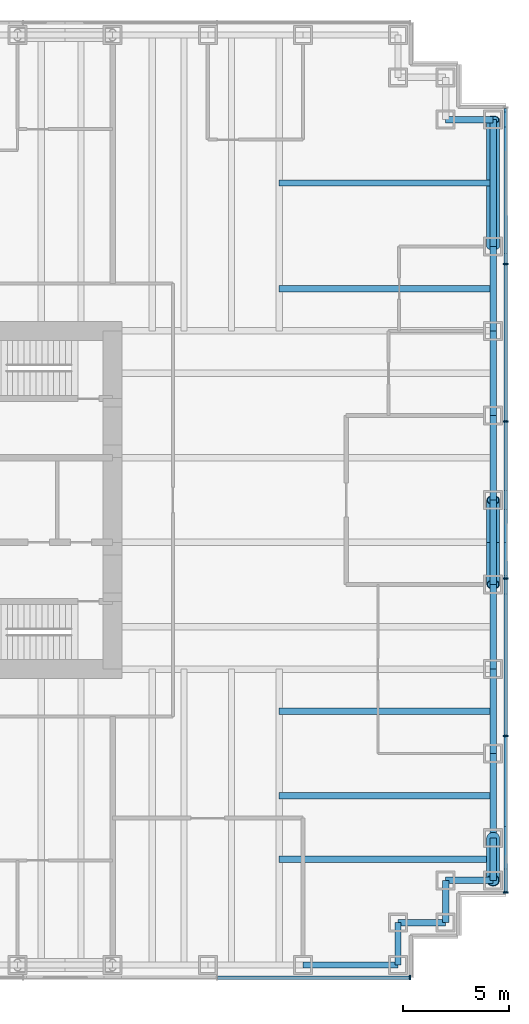
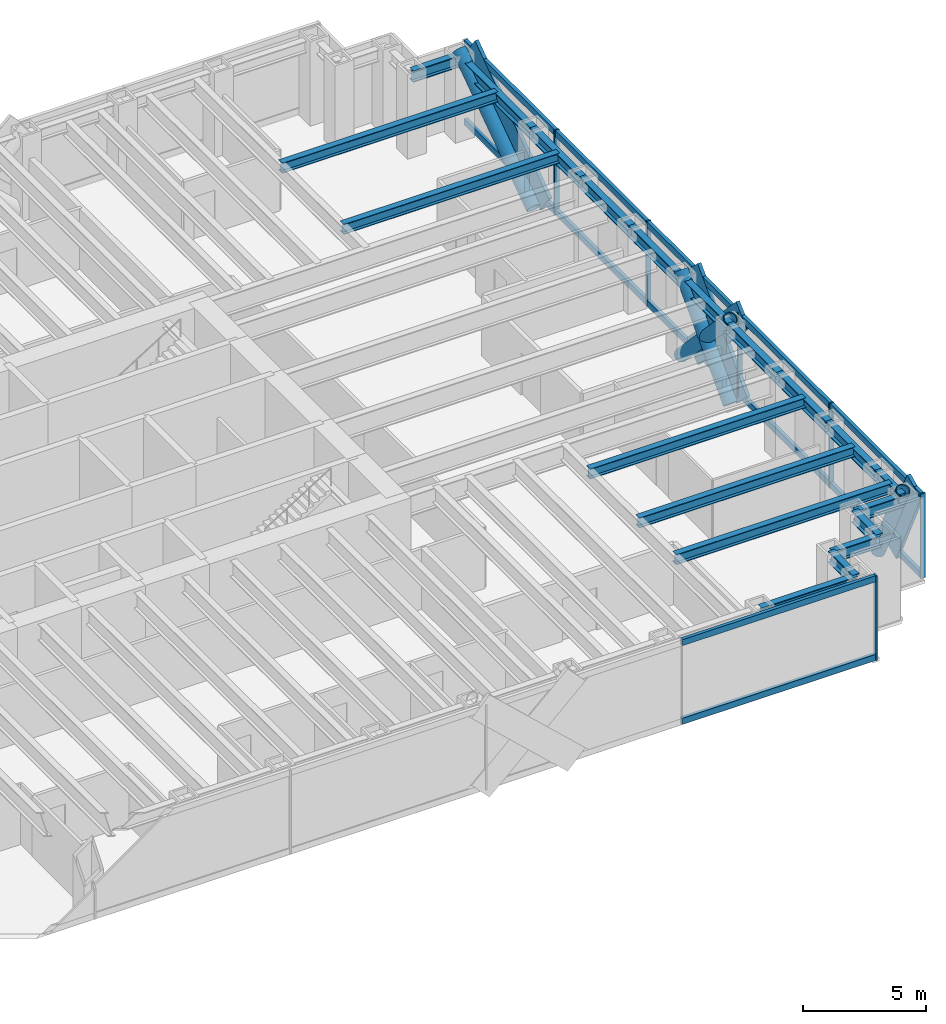
# One storey, part 8 of 17: 26 members, 20 beams, 2 elements without a shape of their own.
"""IFC4 building model written with IfcOpenShell, lengths in metres."""

import ifcopenshell
import ifcopenshell.guid

model = None  # the IFC model being written
_history = None  # IfcOwnerHistory: only IFC2X3 demands one
_inside = {}  # id of a spatial element -> (the spatial element, [elements in it])
_under = {}  # id of a project, library or spatial element -> (it, [spatial elements below it])
_declared = {}  # id of a project -> (the project, [libraries it declares])
_typed = {}  # id of a type object -> (the type object, [elements of that type])
_made_of = {}  # id of a material, layer set ... -> (it, [elements and type objects made of it])


def new_model(schema):
    """Start an empty IFC model of exactly this schema.

    Asked for "IFC4X3", IfcOpenShell would pick the latest addendum, in which some entities
    have other attributes; the version numbers below select the first issue.
    IFC2X3 requires an IfcOwnerHistory on every rooted entity: one is made here for all.
    """
    global model, _history
    if schema == "IFC4X3":
        model = ifcopenshell.file(schema_version=(4, 3, 0, 0))
    else:
        model = ifcopenshell.file(schema=schema)
    _inside.clear()
    _under.clear()
    _declared.clear()
    _typed.clear()
    _made_of.clear()
    _history = None
    if model.schema == "IFC2X3":
        org = make("IfcOrganization", Name="unknown")
        user = make(
            "IfcPersonAndOrganization",
            ThePerson=make("IfcPerson", FamilyName="unknown"),
            TheOrganization=org,
        )
        app = make(
            "IfcApplication",
            ApplicationDeveloper=org,
            Version="unknown",
            ApplicationFullName="unknown",
            ApplicationIdentifier="unknown",
        )
        _history = make(
            "IfcOwnerHistory",
            OwningUser=user,
            OwningApplication=app,
            ChangeAction="ADDED",
            CreationDate=0,
        )
    return model


def make(cls, **values):
    """One entity of the class cls with the attributes given. An attribute that is None is left unset."""
    return model.create_entity(
        cls, **{name: value for name, value in values.items() if value is not None}
    )


def rooted(cls, **values):
    """An entity with a GlobalId (a new one), such as an element, a storey or a relation."""
    return make(cls, GlobalId=ifcopenshell.guid.new(), OwnerHistory=_history, **values)


def si_unit(unit_type, name, prefix=None):
    """IfcSIUnit, for example si_unit("LENGTHUNIT", "METRE", prefix="MILLI")."""
    return make("IfcSIUnit", UnitType=unit_type, Prefix=prefix, Name=name)


def assignment(units):
    """IfcUnitAssignment: the units of a project."""
    return None if units is None else make("IfcUnitAssignment", Units=units)


def point(xyz):
    """IfcCartesianPoint."""
    return None if xyz is None else make("IfcCartesianPoint", Coordinates=xyz)


def direction(xyz):
    """IfcDirection."""
    return None if xyz is None else make("IfcDirection", DirectionRatios=xyz)


def frame(location, z_axis=None, x_axis=None):
    """IfcAxis2Placement3D, a coordinate frame: its origin and axes. An axis left out is left unset."""
    return make(
        "IfcAxis2Placement3D",
        Location=point(location),
        Axis=direction(z_axis),
        RefDirection=direction(x_axis),
    )


def frame_2d(location, x_axis=None):
    """IfcAxis2Placement2D, a coordinate frame in the plane: its origin and x axis."""
    return make(
        "IfcAxis2Placement2D", Location=point(location), RefDirection=direction(x_axis)
    )


def origin():
    """The frame at (0, 0, 0) with its axes left unset."""
    return frame((0.0, 0.0, 0.0))


def origin_2d():
    """The frame at (0, 0) in the plane with its x axis left unset."""
    return frame_2d((0.0, 0.0))


def place(relative_to, where):
    """IfcLocalPlacement: puts the frame where relative to a parent placement (None: the world)."""
    return make(
        "IfcLocalPlacement", PlacementRelTo=relative_to, RelativePlacement=where
    )


def context(
    kind, dimensions, precision=None, world=None, true_north=None, identifier=None
):
    """IfcGeometricRepresentationContext, for example the 3D "Model" context."""
    return make(
        "IfcGeometricRepresentationContext",
        ContextIdentifier=identifier,
        ContextType=kind,
        CoordinateSpaceDimension=dimensions,
        Precision=precision,
        WorldCoordinateSystem=world,
        TrueNorth=true_north,
    )


def subcontext(parent, identifier, kind, view, scale=None):
    """IfcGeometricRepresentationSubContext, for example "Body" below "Model"."""
    return make(
        "IfcGeometricRepresentationSubContext",
        ContextIdentifier=identifier,
        ContextType=kind,
        ParentContext=parent,
        TargetScale=scale,
        TargetView=view,
    )


def project(units=None, contexts=None):
    """IfcProject with its units and contexts."""
    return rooted(
        "IfcProject",
        Name="project",
        RepresentationContexts=contexts,
        UnitsInContext=assignment(units),
    )


def spatial(cls, under=None, at=None, **own):
    """A site, building, storey or space (cls), placed at a placement, below another one or the project."""
    s = rooted(cls, ObjectPlacement=at, **own)
    if under is not None:
        _under.setdefault(under.id(), (under, []))[1].append(s)
    return s


def profile(cls, at=None, kind="AREA", **sizes):
    """A parametric profile (cls). Its sizes go by their IFC names, for example OverallWidth=200.0."""
    return make(cls, ProfileType=kind, Position=at, **sizes)


def rectangle(**sizes):
    """IfcRectangleProfileDef."""
    return profile("IfcRectangleProfileDef", **sizes)


def hollow_circle(**sizes):
    """IfcCircleHollowProfileDef."""
    return profile("IfcCircleHollowProfileDef", **sizes)


def i_section(**sizes):
    """IfcIShapeProfileDef."""
    return profile("IfcIShapeProfileDef", **sizes)


def extrude(swept, where, along, depth):
    """IfcExtrudedAreaSolid: the profile swept, set in the frame where, extruded along a direction by depth."""
    return make(
        "IfcExtrudedAreaSolid",
        SweptArea=swept,
        Position=where,
        ExtrudedDirection=direction(along),
        Depth=depth,
    )


def shape(context_of_items, identifier, shape_type, items):
    """IfcShapeRepresentation: the items that make up one representation, for example the "Body"."""
    return make(
        "IfcShapeRepresentation",
        ContextOfItems=context_of_items,
        RepresentationIdentifier=identifier,
        RepresentationType=shape_type,
        Items=items,
    )


def material(Name=None, Category=None):
    """IfcMaterial."""
    return make("IfcMaterial", Name=Name, Category=Category)


def material_profile(
    of_material, cross_section, Name=None, Category=None, Priority=None
):
    """IfcMaterialProfile: a cross section and its material."""
    return make(
        "IfcMaterialProfile",
        Name=Name,
        Material=of_material,
        Profile=cross_section,
        Priority=Priority,
        Category=Category,
    )


def profile_set(profiles, Name=None, composite=None):
    """IfcMaterialProfileSet."""
    return make(
        "IfcMaterialProfileSet",
        Name=Name,
        MaterialProfiles=profiles,
        CompositeProfile=composite,
    )


def made_of(thing, what):
    """Note that an element or type object is made of a material, layer set ...; save() writes the relation."""
    if what is not None:
        _made_of.setdefault(what.id(), (what, []))[1].append(thing)
    return thing


def type_object(cls, material=None, **own):
    """A type object (cls), such as IfcWallType, which elements share."""
    return made_of(rooted(cls, **own), material)


def element(
    cls,
    number,
    at=None,
    inside=None,
    cuts=None,
    type_object=None,
    material=None,
    context=None,
    identifier="Body",
    shape_type=None,
    held_by="IfcProductDefinitionShape",
    body=None,
    shapes=None,
    **own,
):
    """One element of the class cls, such as IfcWall. Its Tag is "e" and its number.

    at: its placement. inside: the storey or other place that contains it. cuts: it is an
    opening in that element (IfcRelVoidsElement). A single representation is given by context,
    identifier, shape_type and body (its items); several are given by shapes. held_by: the class
    of the entity that holds the representations. save() writes the other relations.
    """
    e = rooted(cls, Tag="e%d" % number, ObjectPlacement=at, **own)
    if body is not None:
        shapes = [shape(context, identifier, shape_type, body)]
    if shapes is not None:
        e.Representation = make(held_by, Representations=shapes)
    if inside is not None:
        _inside.setdefault(inside.id(), (inside, []))[1].append(e)
    if cuts is not None:
        rooted(
            "IfcRelVoidsElement", RelatingBuildingElement=cuts, RelatedOpeningElement=e
        )
    if type_object is not None:
        _typed.setdefault(type_object.id(), (type_object, []))[1].append(e)
    return made_of(e, material)


def aggregate(whole, parts):
    """IfcRelAggregates: a whole, such as a stair, and the parts it consists of."""
    return rooted("IfcRelAggregates", RelatingObject=whole, RelatedObjects=parts)


def save(model, path):
    """Write the relations noted so far, then the file.

    IfcRelAggregates (storeys below a building ...), IfcRelContainedInSpatialStructure (elements
    in a storey), IfcRelDefinesByType, IfcRelAssociatesMaterial and IfcRelDeclares: one each for
    every whole, place, type object, material and project.
    """
    for whole, parts in _under.values():
        aggregate(whole, parts)
    for where, things in _inside.values():
        rooted(
            "IfcRelContainedInSpatialStructure",
            RelatedElements=things,
            RelatingStructure=where,
        )
    for kind, things in _typed.values():
        rooted("IfcRelDefinesByType", RelatedObjects=things, RelatingType=kind)
    for what, things in _made_of.values():
        rooted("IfcRelAssociatesMaterial", RelatedObjects=things, RelatingMaterial=what)
    for by, libraries in _declared.values():
        rooted("IfcRelDeclares", RelatingContext=by, RelatedDefinitions=libraries)
    model.write(path)


model = new_model("IFC4")

# Units and contexts
model_context = context("Model", 3, precision=1e-05, world=origin(), true_north=direction((0.0, 1.0)))
body_context = subcontext(model_context, "Body", "Model", "MODEL_VIEW")
ifc_project = project(units=[si_unit("LENGTHUNIT", "METRE"), si_unit("AREAUNIT", "SQUARE_METRE"), si_unit("VOLUMEUNIT", "CUBIC_METRE"), si_unit("PLANEANGLEUNIT", "RADIAN"), si_unit("MASSUNIT", "GRAM", prefix="KILO")], contexts=[model_context])

# Site, building, storey
site_placement = place(None, origin())
site = spatial("IfcSite", under=ifc_project, at=site_placement, CompositionType="ELEMENT")
building_placement = place(site_placement, origin())
building = spatial("IfcBuilding", under=site, at=building_placement, Name="Rheinbord Bourse Tower", CompositionType="ELEMENT")
storey_placement = place(building_placement, frame((0.0, 0.0, 138.300048828125)))
storey = spatial("IfcBuildingStorey", under=building, at=storey_placement, Name="L30", CompositionType="ELEMENT", Elevation=138.300048828125)

# Curtain wall, members
ifc_material_1 = material(Name="Dark glass and black aluminium", Category="aluminium")
curtain_wall_type = type_object("IfcCurtainWallType", Name="CW2 DARK GLASS CURTAIN WALL", PredefinedType="USERDEFINED", material=ifc_material_1)
curtain_wall_1_placement = place(storey_placement, origin())
curtain_wall_1 = element("IfcCurtainWall", 1, at=curtain_wall_1_placement, inside=storey, type_object=curtain_wall_type, Name="Curtain wall CW2 E L30", ObjectType="UNITISED CURTAIN WALL", PredefinedType="USERDEFINED")
ifc_material_2 = material(Name="Black anodised aluminium", Category="aluminium")
ifc_material_profile_1 = material_profile(ifc_material_2, rectangle(XDim=0.159912109375, YDim=1.2099609375, at=origin_2d()), Name="CW2 DIAGONAL MULLION 1210x160")
ifc_profile_set_1 = profile_set([ifc_material_profile_1], Name="Black anodised aluminium")
member_type_1 = type_object("IfcMemberType", Name="CW2 BLACK DIAGONAL MULLION", PredefinedType="USERDEFINED", material=ifc_profile_set_1)
member_1_placement = place(storey_placement, frame((72.60009765625, 24.0, 0.0), z_axis=(0.0, -0.689659376744, 0.724133926887), x_axis=(1.0, 0.0, 0.0)))
member_1 = element("IfcMember", 2, at=member_1_placement, type_object=member_type_1, Name="CW2 diagonal mullion a", ObjectType="DIAGONAL MULLION", PredefinedType="USERDEFINED", context=body_context, shape_type="SweptSolid", body=[
    extrude(rectangle(XDim=0.159912109375, YDim=1.2099609375, at=origin_2d()), origin(), (0.0, 0.0, 1.0), 5.800048828125),
])
member_2_placement = place(storey_placement, frame((72.60009765625, 20.0, 0.0), z_axis=(0.0, 0.689659376744, 0.724133926887), x_axis=(-1.0, 0.0, 0.0)))
member_2 = element("IfcMember", 3, at=member_2_placement, type_object=member_type_1, Name="CW2 diagonal mullion b", ObjectType="DIAGONAL MULLION", PredefinedType="USERDEFINED", context=body_context, shape_type="SweptSolid", body=[
    extrude(rectangle(XDim=0.159912109375, YDim=1.2099609375, at=origin_2d()), origin(), (0.0, 0.0, 1.0), 5.800048828125),
])
member_3_placement = place(storey_placement, frame((72.60009765625, 8.0, 0.0), z_axis=(0.0, -0.429937654825, 0.902858578607), x_axis=(1.0, 0.0, 0.0)))
member_3 = element("IfcMember", 4, at=member_3_placement, type_object=member_type_1, Name="CW2 diagonal mullion c", ObjectType="DIAGONAL MULLION", PredefinedType="USERDEFINED", context=body_context, shape_type="SweptSolid", body=[
    extrude(rectangle(XDim=0.159912109375, YDim=1.2099609375, at=origin_2d()), origin(), (0.0, 0.0, 1.0), 4.65185546875),
])
member_4_placement = place(storey_placement, frame((72.60009765625, 36.0, 0.0), z_axis=(0.0, 0.819235052632, 0.57345786989), x_axis=(-1.0, 0.0, 0.0)))
member_4 = element("IfcMember", 5, at=member_4_placement, type_object=member_type_1, Name="CW2 diagonal mullion d", ObjectType="DIAGONAL MULLION", PredefinedType="USERDEFINED", context=body_context, shape_type="SweptSolid", body=[
    extrude(rectangle(XDim=0.159912109375, YDim=1.2099609375, at=origin_2d()), origin(), (0.0, 0.0, 1.0), 7.323974609375),
])

# Curtain wall, member
curtain_wall_2_placement = place(storey_placement, origin())
curtain_wall_2 = element("IfcCurtainWall", 6, at=curtain_wall_2_placement, inside=storey, type_object=curtain_wall_type, Name="Curtain wall CW2 S L30", ObjectType="UNITISED CURTAIN WALL", PredefinedType="USERDEFINED")
ifc_material_3 = material(Name="Black anodised aluminium", Category="aluminium")
ifc_material_profile_2 = material_profile(ifc_material_3, rectangle(XDim=0.219970703125, YDim=0.070068359375, at=origin_2d()), Name="CW2 MULLION 70x220")
ifc_profile_set_2 = profile_set([ifc_material_profile_2], Name="Black anodised aluminium")
member_type_2 = type_object("IfcMemberType", Name="CW2 BLACK MULLION", PredefinedType="MULLION", material=ifc_profile_set_2)
member_5_placement = place(storey_placement, frame((68.06494140625, 1.39990234375, 0.0), z_axis=(0.0, 0.0, 1.0), x_axis=(0.0, 1.0, 0.0)))
member_5 = element("IfcMember", 7, at=member_5_placement, type_object=member_type_2, Name="CW2 mullion 8", PredefinedType="MULLION", context=body_context, shape_type="SweptSolid", body=[
    extrude(rectangle(XDim=0.219970703125, YDim=0.070068359375, at=origin_2d()), origin(), (0.0, 0.0, 1.0), 4.199951171875),
])

# Member
member_6_placement = place(storey_placement, frame((72.60009765625, 5.43505859375, 0.0), z_axis=(0.0, 0.0, 1.0), x_axis=(-1.0, 0.0, 0.0)))
member_6 = element("IfcMember", 8, at=member_6_placement, type_object=member_type_2, Name="CW2 mullion 1", PredefinedType="MULLION", context=body_context, shape_type="SweptSolid", body=[
    extrude(rectangle(XDim=0.219970703125, YDim=0.070068359375, at=origin_2d()), origin(), (0.0, 0.0, 1.0), 4.199951171875),
])

member_7_placement = place(storey_placement, frame((72.60009765625, 12.840087890625, 0.0), z_axis=(0.0, 0.0, 1.0), x_axis=(-1.0, 0.0, 0.0)))
member_7 = element("IfcMember", 9, at=member_7_placement, type_object=member_type_2, Name="CW2 mullion 2", PredefinedType="MULLION", context=body_context, shape_type="SweptSolid", body=[
    extrude(rectangle(XDim=0.219970703125, YDim=0.070068359375, at=origin_2d()), origin(), (0.0, 0.0, 1.0), 4.199951171875),
])

member_8_placement = place(storey_placement, frame((72.60009765625, 20.280029296875, 0.0), z_axis=(0.0, 0.0, 1.0), x_axis=(-1.0, 0.0, 0.0)))
member_8 = element("IfcMember", 10, at=member_8_placement, type_object=member_type_2, Name="CW2 mullion 3", PredefinedType="MULLION", context=body_context, shape_type="SweptSolid", body=[
    extrude(rectangle(XDim=0.219970703125, YDim=0.070068359375, at=origin_2d()), origin(), (0.0, 0.0, 1.0), 4.199951171875),
])

member_9_placement = place(storey_placement, frame((72.60009765625, 27.719970703125, 0.0), z_axis=(0.0, 0.0, 1.0), x_axis=(-1.0, 0.0, 0.0)))
member_9 = element("IfcMember", 11, at=member_9_placement, type_object=member_type_2, Name="CW2 mullion 4", PredefinedType="MULLION", context=body_context, shape_type="SweptSolid", body=[
    extrude(rectangle(XDim=0.219970703125, YDim=0.070068359375, at=origin_2d()), origin(), (0.0, 0.0, 1.0), 4.199951171875),
])

member_10_placement = place(storey_placement, frame((72.60009765625, 35.159912109375, 0.0), z_axis=(0.0, 0.0, 1.0), x_axis=(-1.0, 0.0, 0.0)))
member_10 = element("IfcMember", 12, at=member_10_placement, type_object=member_type_2, Name="CW2 mullion 5", PredefinedType="MULLION", context=body_context, shape_type="SweptSolid", body=[
    extrude(rectangle(XDim=0.219970703125, YDim=0.070068359375, at=origin_2d()), origin(), (0.0, 0.0, 1.0), 4.199951171875),
])

ifc_material_4 = material(Name="Black anodised aluminium", Category="aluminium")
ifc_material_profile_3 = material_profile(ifc_material_4, rectangle(XDim=0.159912109375, YDim=0.300048828125, at=origin_2d()), Name="CW2 TRANSOM 300x160")
ifc_profile_set_3 = profile_set([ifc_material_profile_3], Name="Black anodised aluminium")
member_type_3 = type_object("IfcMemberType", Name="CW2 BLACK TRANSOM", PredefinedType="USERDEFINED", material=ifc_profile_set_3)
member_11_placement = place(storey_placement, frame((58.963623046875, 1.39990234375, 0.14990234375), z_axis=(1.0, 0.0, 0.0), x_axis=(0.0, 1.0, 0.0)))
member_11 = element("IfcMember", 13, at=member_11_placement, type_object=member_type_3, Name="CW2 transom 7.1", ObjectType="TRANSOM", PredefinedType="USERDEFINED", context=body_context, shape_type="SweptSolid", body=[
    extrude(rectangle(XDim=0.159912109375, YDim=0.300048828125, at=origin_2d()), origin(), (0.0, 0.0, 1.0), 9.06640625),
])

member_12_placement = place(storey_placement, frame((58.963623046875, 1.39990234375, 4.050048828125), z_axis=(1.0, 0.0, 0.0), x_axis=(0.0, 1.0, 0.0)))
member_12 = element("IfcMember", 14, at=member_12_placement, type_object=member_type_3, Name="CW2 transom 7.2", ObjectType="TRANSOM", PredefinedType="USERDEFINED", context=body_context, shape_type="SweptSolid", body=[
    extrude(rectangle(XDim=0.159912109375, YDim=0.300048828125, at=origin_2d()), origin(), (0.0, 0.0, 1.0), 9.06640625),
])

aggregate(curtain_wall_2, [member_5, member_11, member_12])

member_13_placement = place(storey_placement, frame((72.60009765625, 5.469970703125, 0.14990234375), z_axis=(0.0, 1.0, 0.0), x_axis=(-1.0, 0.0, 0.0)))
member_13 = element("IfcMember", 15, at=member_13_placement, type_object=member_type_3, Name="CW2 transom 1.1", ObjectType="TRANSOM", PredefinedType="USERDEFINED", context=body_context, shape_type="SweptSolid", body=[
    extrude(rectangle(XDim=0.159912109375, YDim=0.300048828125, at=origin_2d()), origin(), (0.0, 0.0, 1.0), 7.3349609375),
])

member_14_placement = place(storey_placement, frame((72.60009765625, 5.469970703125, 4.050048828125), z_axis=(0.0, 1.0, 0.0), x_axis=(-1.0, 0.0, 0.0)))
member_14 = element("IfcMember", 16, at=member_14_placement, type_object=member_type_3, Name="CW2 transom 1.2", ObjectType="TRANSOM", PredefinedType="USERDEFINED", context=body_context, shape_type="SweptSolid", body=[
    extrude(rectangle(XDim=0.159912109375, YDim=0.300048828125, at=origin_2d()), origin(), (0.0, 0.0, 1.0), 7.3349609375),
])

member_15_placement = place(storey_placement, frame((72.60009765625, 12.875, 0.14990234375), z_axis=(0.0, 1.0, 0.0), x_axis=(-1.0, 0.0, 0.0)))
member_15 = element("IfcMember", 17, at=member_15_placement, type_object=member_type_3, Name="CW2 transom 2.1", ObjectType="TRANSOM", PredefinedType="USERDEFINED", context=body_context, shape_type="SweptSolid", body=[
    extrude(rectangle(XDim=0.159912109375, YDim=0.300048828125, at=origin_2d()), origin(), (0.0, 0.0, 1.0), 7.3701171875),
])

member_16_placement = place(storey_placement, frame((72.60009765625, 12.875, 4.050048828125), z_axis=(0.0, 1.0, 0.0), x_axis=(-1.0, 0.0, 0.0)))
member_16 = element("IfcMember", 18, at=member_16_placement, type_object=member_type_3, Name="CW2 transom 2.2", ObjectType="TRANSOM", PredefinedType="USERDEFINED", context=body_context, shape_type="SweptSolid", body=[
    extrude(rectangle(XDim=0.159912109375, YDim=0.300048828125, at=origin_2d()), origin(), (0.0, 0.0, 1.0), 7.3701171875),
])

member_17_placement = place(storey_placement, frame((72.60009765625, 20.31494140625, 0.14990234375), z_axis=(0.0, 1.0, 0.0), x_axis=(-1.0, 0.0, 0.0)))
member_17 = element("IfcMember", 19, at=member_17_placement, type_object=member_type_3, Name="CW2 transom 3.1", ObjectType="TRANSOM", PredefinedType="USERDEFINED", context=body_context, shape_type="SweptSolid", body=[
    extrude(rectangle(XDim=0.159912109375, YDim=0.300048828125, at=origin_2d()), origin(), (0.0, 0.0, 1.0), 7.3701171875),
])

member_18_placement = place(storey_placement, frame((72.60009765625, 20.31494140625, 4.050048828125), z_axis=(0.0, 1.0, 0.0), x_axis=(-1.0, 0.0, 0.0)))
member_18 = element("IfcMember", 20, at=member_18_placement, type_object=member_type_3, Name="CW2 transom 3.2", ObjectType="TRANSOM", PredefinedType="USERDEFINED", context=body_context, shape_type="SweptSolid", body=[
    extrude(rectangle(XDim=0.159912109375, YDim=0.300048828125, at=origin_2d()), origin(), (0.0, 0.0, 1.0), 7.3701171875),
])

member_19_placement = place(storey_placement, frame((72.60009765625, 27.7548828125, 0.14990234375), z_axis=(0.0, 1.0, 0.0), x_axis=(-1.0, 0.0, 0.0)))
member_19 = element("IfcMember", 21, at=member_19_placement, type_object=member_type_3, Name="CW2 transom 4.1", ObjectType="TRANSOM", PredefinedType="USERDEFINED", context=body_context, shape_type="SweptSolid", body=[
    extrude(rectangle(XDim=0.159912109375, YDim=0.300048828125, at=origin_2d()), origin(), (0.0, 0.0, 1.0), 7.3701171875),
])

member_20_placement = place(storey_placement, frame((72.60009765625, 27.7548828125, 4.050048828125), z_axis=(0.0, 1.0, 0.0), x_axis=(-1.0, 0.0, 0.0)))
member_20 = element("IfcMember", 22, at=member_20_placement, type_object=member_type_3, Name="CW2 transom 4.2", ObjectType="TRANSOM", PredefinedType="USERDEFINED", context=body_context, shape_type="SweptSolid", body=[
    extrude(rectangle(XDim=0.159912109375, YDim=0.300048828125, at=origin_2d()), origin(), (0.0, 0.0, 1.0), 7.3701171875),
])

member_21_placement = place(storey_placement, frame((72.60009765625, 35.195068359375, 0.14990234375), z_axis=(0.0, 1.0, 0.0), x_axis=(-1.0, 0.0, 0.0)))
member_21 = element("IfcMember", 23, at=member_21_placement, type_object=member_type_3, Name="CW2 transom 5.1", ObjectType="TRANSOM", PredefinedType="USERDEFINED", context=body_context, shape_type="SweptSolid", body=[
    extrude(rectangle(XDim=0.159912109375, YDim=0.300048828125, at=origin_2d()), origin(), (0.0, 0.0, 1.0), 7.3349609375),
])

member_22_placement = place(storey_placement, frame((72.60009765625, 35.195068359375, 4.050048828125), z_axis=(0.0, 1.0, 0.0), x_axis=(-1.0, 0.0, 0.0)))
member_22 = element("IfcMember", 24, at=member_22_placement, type_object=member_type_3, Name="CW2 transom 5.2", ObjectType="TRANSOM", PredefinedType="USERDEFINED", context=body_context, shape_type="SweptSolid", body=[
    extrude(rectangle(XDim=0.159912109375, YDim=0.300048828125, at=origin_2d()), origin(), (0.0, 0.0, 1.0), 7.3349609375),
])

aggregate(curtain_wall_1, [member_6, member_7, member_8, member_9, member_10, member_13, member_14, member_15, member_16, member_17, member_18, member_19, member_20, member_21, member_22, member_1, member_2, member_3, member_4])

# Members
ifc_material_5 = material(Name="Steel S460", Category="steel")
ifc_material_profile_4 = material_profile(ifc_material_5, hollow_circle(Radius=0.304931640625, WallThickness=0.0400390625, at=origin_2d()), Name="CHS 610x40")
ifc_profile_set_4 = profile_set([ifc_material_profile_4], Name="Steel S460")
member_type_4 = type_object("IfcMemberType", Name="MEGABRACE CHS 610x40", PredefinedType="BRACE", material=ifc_profile_set_4)
for number, where, z_axis, x_axis, name in (
    (25, (72.0, 24.0, 0.0), (0.0, -0.689659376744, 0.724133926887), (1.0, 0.0, 0.0), "Megabrace E face line a L30"),
    (26, (72.0, 20.0, 0.0), (0.0, 0.689659376744, 0.724133926887), (-1.0, 0.0, 0.0), "Megabrace E face line b L30"),
):
    element("IfcMember", number, at=place(storey_placement, frame(where, z_axis=z_axis, x_axis=x_axis)), inside=storey, type_object=member_type_4, Name=name, PredefinedType="BRACE", context=body_context, shape_type="SweptSolid", body=[
        extrude(hollow_circle(Radius=0.304931640625, WallThickness=0.0400390625, at=origin_2d()), origin(), (0.0, 0.0, 1.0), 5.800048828125),
    ])
member_23_placement = place(storey_placement, frame((72.0, 8.0, 0.0), z_axis=(0.0, -0.429937654825, 0.902858578607), x_axis=(1.0, 0.0, 0.0)))
element("IfcMember", 27, at=member_23_placement, inside=storey, type_object=member_type_4, Name="Megabrace E face line c L30", PredefinedType="BRACE", context=body_context, shape_type="SweptSolid", body=[
    extrude(hollow_circle(Radius=0.304931640625, WallThickness=0.0400390625, at=origin_2d()), origin(), (0.0, 0.0, 1.0), 4.65185546875),
])
member_24_placement = place(storey_placement, frame((72.0, 36.0, 0.0), z_axis=(0.0, 0.819235052632, 0.57345786989), x_axis=(-1.0, 0.0, 0.0)))
element("IfcMember", 28, at=member_24_placement, inside=storey, type_object=member_type_4, Name="Megabrace E face line d L30", PredefinedType="BRACE", context=body_context, shape_type="SweptSolid", body=[
    extrude(hollow_circle(Radius=0.304931640625, WallThickness=0.0400390625, at=origin_2d()), origin(), (0.0, 0.0, 1.0), 7.323974609375),
])

# Beams
ifc_material_6 = material(Name="Steel S460", Category="steel")
ifc_material_profile_5 = material_profile(ifc_material_6, i_section(OverallWidth=0.305908203125, OverallDepth=0.572021484375, WebThickness=0.02099609375, FlangeThickness=0.0400390625, at=origin_2d()), Name="HEM 550")
ifc_profile_set_5 = profile_set([ifc_material_profile_5], Name="Steel S460")
beam_type_1 = type_object("IfcBeamType", Name="SPANDREL HEM 550", PredefinedType="SPANDREL", material=ifc_profile_set_5)
beam_1_placement = place(storey_placement, frame((63.0, 2.0, 3.75390625), z_axis=(1.0, 0.0, 0.0), x_axis=(0.0, 1.0, 0.0)))
element("IfcBeam", 29, at=beam_1_placement, inside=storey, type_object=beam_type_1, Name="Spandrel S-63-SE-E under L31", PredefinedType="SPANDREL", context=body_context, shape_type="SweptSolid", body=[
    extrude(i_section(OverallWidth=0.305908203125, OverallDepth=0.572021484375, WebThickness=0.02099609375, FlangeThickness=0.0400390625, at=origin_2d()), origin(), (0.0, 0.0, 1.0), 4.5),
])
beam_2_placement = place(storey_placement, frame((67.5, 2.0, 3.75390625), z_axis=(0.0, 1.0, 0.0), x_axis=(-1.0, 0.0, 0.0)))
element("IfcBeam", 30, at=beam_2_placement, inside=storey, type_object=beam_type_1, Name="Spandrel SE-E-SE-D under L31", PredefinedType="SPANDREL", context=body_context, shape_type="SweptSolid", body=[
    extrude(i_section(OverallWidth=0.305908203125, OverallDepth=0.572021484375, WebThickness=0.02099609375, FlangeThickness=0.0400390625, at=origin_2d()), origin(), (0.0, 0.0, 1.0), 2.0),
])
beam_3_placement = place(storey_placement, frame((67.5, 4.0, 3.75390625), z_axis=(1.0, 0.0, 0.0), x_axis=(0.0, 1.0, 0.0)))
element("IfcBeam", 31, at=beam_3_placement, inside=storey, type_object=beam_type_1, Name="Spandrel SE-D-SE-C under L31", PredefinedType="SPANDREL", context=body_context, shape_type="SweptSolid", body=[
    extrude(i_section(OverallWidth=0.305908203125, OverallDepth=0.572021484375, WebThickness=0.02099609375, FlangeThickness=0.0400390625, at=origin_2d()), origin(), (0.0, 0.0, 1.0), 2.25),
])
beam_4_placement = place(storey_placement, frame((69.75, 4.0, 3.75390625), z_axis=(0.0, 1.0, 0.0), x_axis=(-1.0, 0.0, 0.0)))
element("IfcBeam", 32, at=beam_4_placement, inside=storey, type_object=beam_type_1, Name="Spandrel SE-C-SE-B under L31", PredefinedType="SPANDREL", context=body_context, shape_type="SweptSolid", body=[
    extrude(i_section(OverallWidth=0.305908203125, OverallDepth=0.572021484375, WebThickness=0.02099609375, FlangeThickness=0.0400390625, at=origin_2d()), origin(), (0.0, 0.0, 1.0), 2.0),
])
beam_5_placement = place(storey_placement, frame((69.75, 6.0, 3.75390625), z_axis=(1.0, 0.0, 0.0), x_axis=(0.0, 1.0, 0.0)))
element("IfcBeam", 33, at=beam_5_placement, inside=storey, type_object=beam_type_1, Name="Spandrel SE-B-SE-A under L31", PredefinedType="SPANDREL", context=body_context, shape_type="SweptSolid", body=[
    extrude(i_section(OverallWidth=0.305908203125, OverallDepth=0.572021484375, WebThickness=0.02099609375, FlangeThickness=0.0400390625, at=origin_2d()), origin(), (0.0, 0.0, 1.0), 2.25),
])
beam_6_placement = place(storey_placement, frame((72.0, 6.0, 3.75390625), z_axis=(0.0, 1.0, 0.0), x_axis=(-1.0, 0.0, 0.0)))
element("IfcBeam", 34, at=beam_6_placement, inside=storey, type_object=beam_type_1, Name="Spandrel SE-A-E-8 under L31", PredefinedType="SPANDREL", context=body_context, shape_type="SweptSolid", body=[
    extrude(i_section(OverallWidth=0.305908203125, OverallDepth=0.572021484375, WebThickness=0.02099609375, FlangeThickness=0.0400390625, at=origin_2d()), origin(), (0.0, 0.0, 1.0), 2.0),
])
for number, where, z_axis, x_axis, name in (
    (35, (72.0, 8.0, 3.75390625), (0.0, 1.0, 0.0), (-1.0, 0.0, 0.0), "Spandrel E-8-E-12 under L31"),
    (36, (72.0, 12.0, 3.75390625), (0.0, 1.0, 0.0), (-1.0, 0.0, 0.0), "Spandrel E-12-E-16 under L31"),
    (37, (72.0, 16.0, 3.75390625), (0.0, 1.0, 0.0), (-1.0, 0.0, 0.0), "Spandrel E-16-E-20 under L31"),
    (38, (72.0, 20.0, 3.75390625), (0.0, 1.0, 0.0), (-1.0, 0.0, 0.0), "Spandrel E-20-E-24 under L31"),
    (39, (72.0, 24.0, 3.75390625), (0.0, 1.0, 0.0), (-1.0, 0.0, 0.0), "Spandrel E-24-E-28 under L31"),
    (40, (72.0, 28.0, 3.75390625), (0.0, 1.0, 0.0), (-1.0, 0.0, 0.0), "Spandrel E-28-E-32 under L31"),
    (41, (72.0, 32.0, 3.75390625), (0.0, 1.0, 0.0), (-1.0, 0.0, 0.0), "Spandrel E-32-E-36 under L31"),
):
    element("IfcBeam", number, at=place(storey_placement, frame(where, z_axis=z_axis, x_axis=x_axis)), inside=storey, type_object=beam_type_1, Name=name, PredefinedType="SPANDREL", context=body_context, shape_type="SweptSolid", body=[
        extrude(i_section(OverallWidth=0.305908203125, OverallDepth=0.572021484375, WebThickness=0.02099609375, FlangeThickness=0.0400390625, at=origin_2d()), origin(), (0.0, 0.0, 1.0), 4.0),
    ])
beam_7_placement = place(storey_placement, frame((72.0, 36.0, 3.75390625), z_axis=(0.0, 1.0, 0.0), x_axis=(-1.0, 0.0, 0.0)))
element("IfcBeam", 42, at=beam_7_placement, inside=storey, type_object=beam_type_1, Name="Spandrel E-36-NE-A under L31", PredefinedType="SPANDREL", context=body_context, shape_type="SweptSolid", body=[
    extrude(i_section(OverallWidth=0.305908203125, OverallDepth=0.572021484375, WebThickness=0.02099609375, FlangeThickness=0.0400390625, at=origin_2d()), origin(), (0.0, 0.0, 1.0), 6.0),
])
beam_8_placement = place(storey_placement, frame((72.0, 42.0, 3.75390625), z_axis=(-1.0, 0.0, 0.0), x_axis=(0.0, -1.0, 0.0)))
element("IfcBeam", 43, at=beam_8_placement, inside=storey, type_object=beam_type_1, Name="Spandrel NE-A-NE-B under L31", PredefinedType="SPANDREL", context=body_context, shape_type="SweptSolid", body=[
    extrude(i_section(OverallWidth=0.305908203125, OverallDepth=0.572021484375, WebThickness=0.02099609375, FlangeThickness=0.0400390625, at=origin_2d()), origin(), (0.0, 0.0, 1.0), 2.25),
])
ifc_material_7 = material(Name="Steel S460", Category="steel")
ifc_material_profile_6 = material_profile(ifc_material_7, i_section(OverallWidth=0.300048828125, OverallDepth=0.5, WebThickness=0.014404296875, FlangeThickness=0.028076171875, at=origin_2d()), Name="HEB 500")
ifc_profile_set_6 = profile_set([ifc_material_profile_6], Name="Steel S460")
beam_type_2 = type_object("IfcBeamType", Name="TIE BEAM HEB 500", PredefinedType="JOIST", material=ifc_profile_set_6)
for number, where, z_axis, x_axis, name in (
    (44, (61.875, 7.0, 3.7900390625), (1.0, 0.0, 0.0), (0.0, 1.0, 0.0), "Tie east 7 L31"),
    (45, (61.875, 10.0, 3.7900390625), (1.0, 0.0, 0.0), (0.0, 1.0, 0.0), "Tie east 10 L31"),
    (46, (61.875, 14.0, 3.7900390625), (1.0, 0.0, 0.0), (0.0, 1.0, 0.0), "Tie east 14 L31"),
    (47, (61.875, 34.0, 3.7900390625), (1.0, 0.0, 0.0), (0.0, 1.0, 0.0), "Tie east 34 L31"),
    (48, (61.875, 39.0, 3.7900390625), (1.0, 0.0, 0.0), (0.0, 1.0, 0.0), "Tie east 39 L31"),
):
    element("IfcBeam", number, at=place(storey_placement, frame(where, z_axis=z_axis, x_axis=x_axis)), inside=storey, type_object=beam_type_2, Name=name, PredefinedType="JOIST", context=body_context, shape_type="SweptSolid", body=[
        extrude(i_section(OverallWidth=0.300048828125, OverallDepth=0.5, WebThickness=0.014404296875, FlangeThickness=0.028076171875, at=origin_2d()), origin(), (0.0, 0.0, 1.0), 10.125),
    ])

save(model, "model.ifc")
